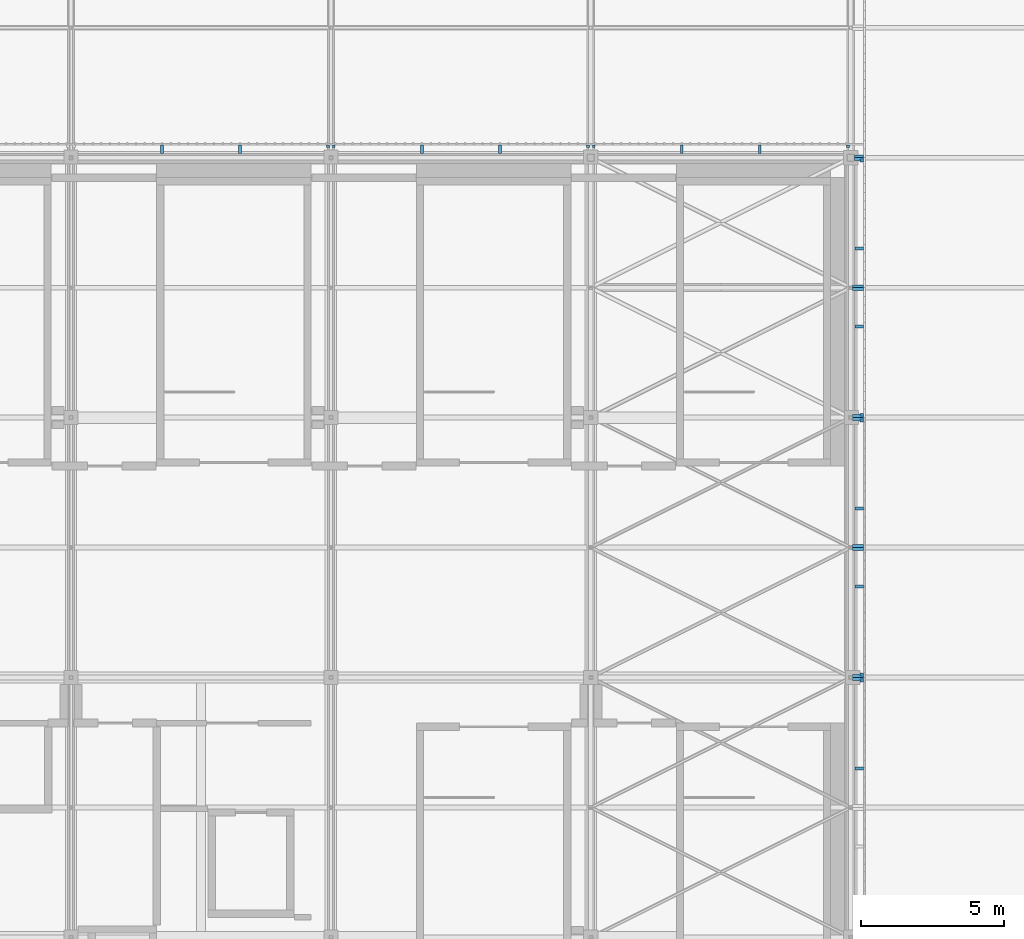
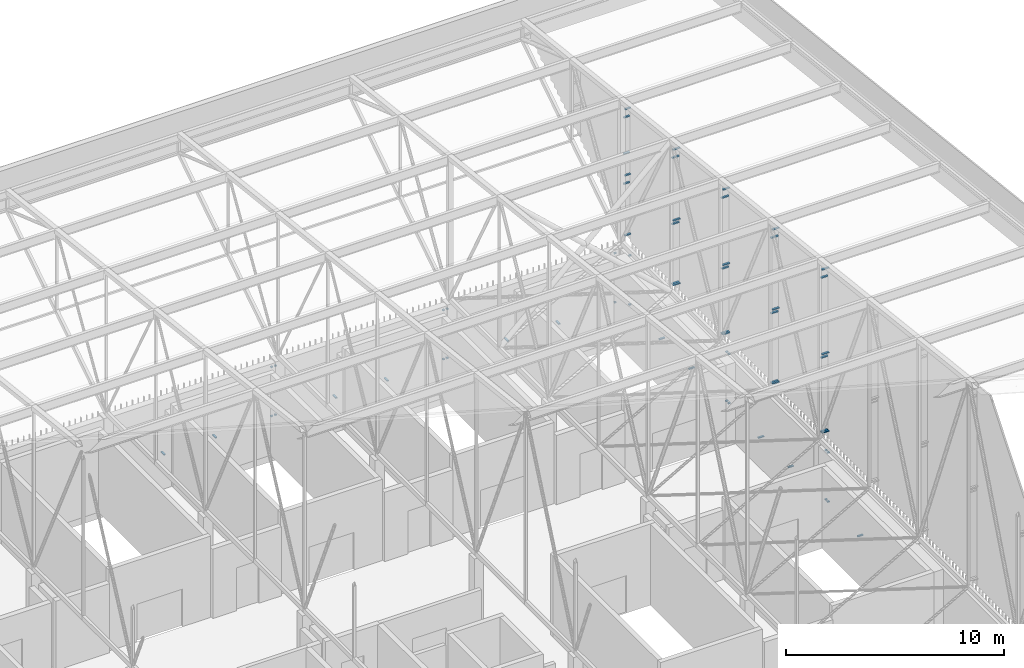
# One storey, part 453 of 500: 61 discrete accessories.
"""IFC4 building model written with IfcOpenShell, lengths in metres."""

from ifc_helpers import new_model, si_unit, direction, frame, origin, origin_2d, place, context, subcontext, project, spatial, rectangle, extrude, material, type_object, element, save


model = new_model("IFC4")

# Units and contexts
model_context = context("Model", 3, precision=1e-05, world=origin(), true_north=direction((0.0, 1.0)))
body_context = subcontext(model_context, "Body", "Model", "MODEL_VIEW")
ifc_project = project(units=[si_unit("LENGTHUNIT", "METRE"), si_unit("AREAUNIT", "SQUARE_METRE"), si_unit("VOLUMEUNIT", "CUBIC_METRE"), si_unit("PLANEANGLEUNIT", "RADIAN"), si_unit("MASSUNIT", "GRAM", prefix="KILO")], contexts=[model_context])

# Site, building, storey
site_placement = place(None, origin())
site = spatial("IfcSite", under=ifc_project, at=site_placement, CompositionType="ELEMENT")
building_placement = place(site_placement, origin())
building = spatial("IfcBuilding", under=site, at=building_placement, Name="Shirokan Park Arena", CompositionType="ELEMENT")
storey_placement = place(building_placement, frame((0.0, 0.0, 29.1201171875)))
storey = spatial("IfcBuildingStorey", under=building, at=storey_placement, Name="L06", CompositionType="ELEMENT", Elevation=29.1201171875)

# Discrete accessories
ifc_material = material(Name="Steel S355", Category="steel")
discrete_accessory_type = type_object("IfcDiscreteAccessoryType", Name="Veil bracket 100x60", PredefinedType="BRACKET", material=ifc_material)
for number, where, z_axis, x_axis, name in (
    (1, (145.985107421875, 90.89990234375, 1.06982421875), (0.0, 0.0, 1.0), (0.0, 1.0, 0.0), "Veil bracket east bay 10 L06 2"),
    (2, (145.985107421875, 90.89990234375, 3.81982421875), (0.0, 0.0, 1.0), (0.0, 1.0, 0.0), "Veil bracket east bay 10 L06 4"),
):
    element("IfcDiscreteAccessory", number, at=place(storey_placement, frame(where, z_axis=z_axis, x_axis=x_axis)), inside=storey, type_object=discrete_accessory_type, Name=name, PredefinedType="BRACKET", context=body_context, shape_type="SweptSolid", body=[
        extrude(rectangle(XDim=0.10009765625, YDim=0.1201171875, at=origin_2d()), origin(), (0.0, 0.0, 1.0), 0.06005859375),
    ])
discrete_accessory_placement = place(storey_placement, frame((145.8974609375, 87.81494140625, 1.06982421875), z_axis=(0.0, 0.0, 1.0), x_axis=(0.0, 1.0, 0.0)))
element("IfcDiscreteAccessory", 3, at=discrete_accessory_placement, inside=storey, type_object=discrete_accessory_type, Name="Veil bracket east bay 10 L06 wall 2", PredefinedType="BRACKET", context=body_context, shape_type="SweptSolid", body=[
    extrude(rectangle(XDim=0.10009765625, YDim=0.294921875, at=origin_2d()), origin(), (0.0, 0.0, 1.0), 0.06005859375),
])
for number, where, z_axis, x_axis, name in (
    (4, (145.985107421875, 91.10009765625, 1.06982421875), (0.0, 0.0, 1.0), (0.0, 1.0, 0.0), "Veil bracket east bay 11 L06 1"),
    (5, (145.985107421875, 100.0, 1.06982421875), (0.0, 0.0, 1.0), (0.0, 1.0, 0.0), "Veil bracket east bay 11 L06 2"),
    (6, (145.985107421875, 91.10009765625, 3.81982421875), (0.0, 0.0, 1.0), (0.0, 1.0, 0.0), "Veil bracket east bay 11 L06 3"),
    (7, (145.985107421875, 100.0, 3.81982421875), (0.0, 0.0, 1.0), (0.0, 1.0, 0.0), "Veil bracket east bay 11 L06 4"),
):
    element("IfcDiscreteAccessory", number, at=place(storey_placement, frame(where, z_axis=z_axis, x_axis=x_axis)), inside=storey, type_object=discrete_accessory_type, Name=name, PredefinedType="BRACKET", context=body_context, shape_type="SweptSolid", body=[
        extrude(rectangle(XDim=0.10009765625, YDim=0.1201171875, at=origin_2d()), origin(), (0.0, 0.0, 1.0), 0.06005859375),
    ])
for number, where, z_axis, x_axis, name in (
    (8, (145.8974609375, 94.18505859375, 1.06982421875), (0.0, 0.0, 1.0), (0.0, 1.0, 0.0), "Veil bracket east bay 11 L06 wall 1"),
    (9, (145.8974609375, 96.9150390625, 1.06982421875), (0.0, 0.0, 1.0), (0.0, 1.0, 0.0), "Veil bracket east bay 11 L06 wall 2"),
):
    element("IfcDiscreteAccessory", number, at=place(storey_placement, frame(where, z_axis=z_axis, x_axis=x_axis)), inside=storey, type_object=discrete_accessory_type, Name=name, PredefinedType="BRACKET", context=body_context, shape_type="SweptSolid", body=[
        extrude(rectangle(XDim=0.10009765625, YDim=0.294921875, at=origin_2d()), origin(), (0.0, 0.0, 1.0), 0.06005859375),
    ])
for number, where, z_axis, x_axis, name in (
    (10, (145.985107421875, 100.199951171875, 1.06982421875), (0.0, 0.0, 1.0), (0.0, 1.0, 0.0), "Veil bracket east bay 12 L06 1"),
    (11, (145.985107421875, 109.10009765625, 1.06982421875), (0.0, 0.0, 1.0), (0.0, 1.0, 0.0), "Veil bracket east bay 12 L06 2"),
    (12, (145.985107421875, 100.199951171875, 3.81982421875), (0.0, 0.0, 1.0), (0.0, 1.0, 0.0), "Veil bracket east bay 12 L06 3"),
    (13, (145.985107421875, 109.10009765625, 3.81982421875), (0.0, 0.0, 1.0), (0.0, 1.0, 0.0), "Veil bracket east bay 12 L06 4"),
):
    element("IfcDiscreteAccessory", number, at=place(storey_placement, frame(where, z_axis=z_axis, x_axis=x_axis)), inside=storey, type_object=discrete_accessory_type, Name=name, PredefinedType="BRACKET", context=body_context, shape_type="SweptSolid", body=[
        extrude(rectangle(XDim=0.10009765625, YDim=0.1201171875, at=origin_2d()), origin(), (0.0, 0.0, 1.0), 0.06005859375),
    ])
for number, where, z_axis, x_axis, name in (
    (14, (145.8974609375, 103.284912109375, 1.06982421875), (0.0, 0.0, 1.0), (0.0, 1.0, 0.0), "Veil bracket east bay 12 L06 wall 1"),
    (15, (145.8974609375, 106.014892578125, 1.06982421875), (0.0, 0.0, 1.0), (0.0, 1.0, 0.0), "Veil bracket east bay 12 L06 wall 2"),
):
    element("IfcDiscreteAccessory", number, at=place(storey_placement, frame(where, z_axis=z_axis, x_axis=x_axis)), inside=storey, type_object=discrete_accessory_type, Name=name, PredefinedType="BRACKET", context=body_context, shape_type="SweptSolid", body=[
        extrude(rectangle(XDim=0.10009765625, YDim=0.294921875, at=origin_2d()), origin(), (0.0, 0.0, 1.0), 0.06005859375),
    ])
for number, where, z_axis, x_axis, name in (
    (16, (145.5, 109.597412109375, 1.06982421875), (0.0, 0.0, 1.0), (-1.0, 0.0, 0.0), "Veil bracket north bay 1 L06 1"),
    (17, (136.60009765625, 109.597412109375, 1.06982421875), (0.0, 0.0, 1.0), (-1.0, 0.0, 0.0), "Veil bracket north bay 1 L06 2"),
    (18, (145.5, 109.597412109375, 3.81982421875), (0.0, 0.0, 1.0), (-1.0, 0.0, 0.0), "Veil bracket north bay 1 L06 3"),
    (19, (136.60009765625, 109.597412109375, 3.81982421875), (0.0, 0.0, 1.0), (-1.0, 0.0, 0.0), "Veil bracket north bay 1 L06 4"),
):
    element("IfcDiscreteAccessory", number, at=place(storey_placement, frame(where, z_axis=z_axis, x_axis=x_axis)), inside=storey, type_object=discrete_accessory_type, Name=name, PredefinedType="BRACKET", context=body_context, shape_type="SweptSolid", body=[
        extrude(rectangle(XDim=0.10009765625, YDim=0.094970703125, at=origin_2d()), origin(), (0.0, 0.0, 1.0), 0.06005859375),
    ])
for number, where, z_axis, x_axis, name in (
    (20, (142.4150390625, 109.49755859375, 1.06982421875), (0.0, 0.0, 1.0), (-1.0, 0.0, 0.0), "Veil bracket north bay 1 L06 wall 1"),
    (21, (139.68505859375, 109.49755859375, 1.06982421875), (0.0, 0.0, 1.0), (-1.0, 0.0, 0.0), "Veil bracket north bay 1 L06 wall 2"),
):
    element("IfcDiscreteAccessory", number, at=place(storey_placement, frame(where, z_axis=z_axis, x_axis=x_axis)), inside=storey, type_object=discrete_accessory_type, Name=name, PredefinedType="BRACKET", context=body_context, shape_type="SweptSolid", body=[
        extrude(rectangle(XDim=0.10009765625, YDim=0.294921875, at=origin_2d()), origin(), (0.0, 0.0, 1.0), 0.06005859375),
    ])
for number, where, z_axis, x_axis, name in (
    (22, (136.39990234375, 109.597412109375, 1.06982421875), (0.0, 0.0, 1.0), (-1.0, 0.0, 0.0), "Veil bracket north bay 2 L06 1"),
    (23, (127.5, 109.597412109375, 1.06982421875), (0.0, 0.0, 1.0), (-1.0, 0.0, 0.0), "Veil bracket north bay 2 L06 2"),
    (24, (136.39990234375, 109.597412109375, 3.81982421875), (0.0, 0.0, 1.0), (-1.0, 0.0, 0.0), "Veil bracket north bay 2 L06 3"),
    (25, (127.5, 109.597412109375, 3.81982421875), (0.0, 0.0, 1.0), (-1.0, 0.0, 0.0), "Veil bracket north bay 2 L06 4"),
):
    element("IfcDiscreteAccessory", number, at=place(storey_placement, frame(where, z_axis=z_axis, x_axis=x_axis)), inside=storey, type_object=discrete_accessory_type, Name=name, PredefinedType="BRACKET", context=body_context, shape_type="SweptSolid", body=[
        extrude(rectangle(XDim=0.10009765625, YDim=0.094970703125, at=origin_2d()), origin(), (0.0, 0.0, 1.0), 0.06005859375),
    ])
for number, where, z_axis, x_axis, name in (
    (26, (133.31494140625, 109.49755859375, 1.06982421875), (0.0, 0.0, 1.0), (-1.0, 0.0, 0.0), "Veil bracket north bay 2 L06 wall 1"),
    (27, (130.5849609375, 109.49755859375, 1.06982421875), (0.0, 0.0, 1.0), (-1.0, 0.0, 0.0), "Veil bracket north bay 2 L06 wall 2"),
):
    element("IfcDiscreteAccessory", number, at=place(storey_placement, frame(where, z_axis=z_axis, x_axis=x_axis)), inside=storey, type_object=discrete_accessory_type, Name=name, PredefinedType="BRACKET", context=body_context, shape_type="SweptSolid", body=[
        extrude(rectangle(XDim=0.10009765625, YDim=0.294921875, at=origin_2d()), origin(), (0.0, 0.0, 1.0), 0.06005859375),
    ])
for number, where, z_axis, x_axis, name in (
    (28, (127.300048828125, 109.597412109375, 1.06982421875), (0.0, 0.0, 1.0), (-1.0, 0.0, 0.0), "Veil bracket north bay 3 L06 1"),
    (29, (127.300048828125, 109.597412109375, 3.81982421875), (0.0, 0.0, 1.0), (-1.0, 0.0, 0.0), "Veil bracket north bay 3 L06 3"),
):
    element("IfcDiscreteAccessory", number, at=place(storey_placement, frame(where, z_axis=z_axis, x_axis=x_axis)), inside=storey, type_object=discrete_accessory_type, Name=name, PredefinedType="BRACKET", context=body_context, shape_type="SweptSolid", body=[
        extrude(rectangle(XDim=0.10009765625, YDim=0.094970703125, at=origin_2d()), origin(), (0.0, 0.0, 1.0), 0.06005859375),
    ])
for number, where, z_axis, x_axis, name in (
    (30, (124.215087890625, 109.49755859375, 1.06982421875), (0.0, 0.0, 1.0), (-1.0, 0.0, 0.0), "Veil bracket north bay 3 L06 wall 1"),
    (31, (121.485107421875, 109.49755859375, 1.06982421875), (0.0, 0.0, 1.0), (-1.0, 0.0, 0.0), "Veil bracket north bay 3 L06 wall 2"),
):
    element("IfcDiscreteAccessory", number, at=place(storey_placement, frame(where, z_axis=z_axis, x_axis=x_axis)), inside=storey, type_object=discrete_accessory_type, Name=name, PredefinedType="BRACKET", context=body_context, shape_type="SweptSolid", body=[
        extrude(rectangle(XDim=0.10009765625, YDim=0.294921875, at=origin_2d()), origin(), (0.0, 0.0, 1.0), 0.06005859375),
    ])
for number, where, z_axis, x_axis, name in (
    (32, (145.854248046875, 90.949951171875, 4.995849609375), (0.0, 0.0, 1.0), (1.0, 0.0, 0.0), "Veil bracket gable band east bay 22 4"),
    (33, (145.854248046875, 90.949951171875, 9.393798828125), (0.0, 0.0, 1.0), (1.0, 0.0, 0.0), "Veil bracket gable band east bay 22 5"),
    (34, (145.854248046875, 90.949951171875, 14.141845703125), (0.0, 0.0, 1.0), (1.0, 0.0, 0.0), "Veil bracket gable band east bay 22 6"),
    (35, (145.854248046875, 91.050048828125, 4.995849609375), (0.0, 0.0, 1.0), (1.0, 0.0, 0.0), "Veil bracket gable band east bay 23 1"),
    (36, (145.854248046875, 91.050048828125, 9.1337890625), (0.0, 0.0, 1.0), (1.0, 0.0, 0.0), "Veil bracket gable band east bay 23 2"),
    (37, (145.854248046875, 91.050048828125, 13.621826171875), (0.0, 0.0, 1.0), (1.0, 0.0, 0.0), "Veil bracket gable band east bay 23 3"),
):
    element("IfcDiscreteAccessory", number, at=place(storey_placement, frame(where, z_axis=z_axis, x_axis=x_axis)), inside=storey, type_object=discrete_accessory_type, Name=name, PredefinedType="BRACKET", context=body_context, shape_type="SweptSolid", body=[
        extrude(rectangle(XDim=0.381591796875, YDim=0.10009765625, at=origin_2d()), origin(), (0.0, 0.0, 1.0), 0.06005859375),
    ])
for number, where, z_axis, x_axis, name in (
    (38, (145.85107421875, 95.5, 4.995849609375), (0.0, 0.0, 1.0), (1.0, 0.0, 0.0), "Veil bracket gable band east bay 23 4"),
    (39, (145.85107421875, 95.5, 9.1337890625), (0.0, 0.0, 1.0), (1.0, 0.0, 0.0), "Veil bracket gable band east bay 23 5"),
    (40, (145.85107421875, 95.5, 13.621826171875), (0.0, 0.0, 1.0), (1.0, 0.0, 0.0), "Veil bracket gable band east bay 23 6"),
    (41, (145.85107421875, 95.60009765625, 4.995849609375), (0.0, 0.0, 1.0), (1.0, 0.0, 0.0), "Veil bracket gable band east bay 24 1"),
    (42, (145.85107421875, 95.60009765625, 8.873779296875), (0.0, 0.0, 1.0), (1.0, 0.0, 0.0), "Veil bracket gable band east bay 24 2"),
    (43, (145.85107421875, 95.60009765625, 13.101806640625), (0.0, 0.0, 1.0), (1.0, 0.0, 0.0), "Veil bracket gable band east bay 24 3"),
):
    element("IfcDiscreteAccessory", number, at=place(storey_placement, frame(where, z_axis=z_axis, x_axis=x_axis)), inside=storey, type_object=discrete_accessory_type, Name=name, PredefinedType="BRACKET", context=body_context, shape_type="SweptSolid", body=[
        extrude(rectangle(XDim=0.387939453125, YDim=0.10009765625, at=origin_2d()), origin(), (0.0, 0.0, 1.0), 0.06005859375),
    ])
for number, where, z_axis, x_axis, name in (
    (44, (145.854248046875, 100.050048828125, 4.995849609375), (0.0, 0.0, 1.0), (1.0, 0.0, 0.0), "Veil bracket gable band east bay 24 4"),
    (45, (145.854248046875, 100.050048828125, 8.873779296875), (0.0, 0.0, 1.0), (1.0, 0.0, 0.0), "Veil bracket gable band east bay 24 5"),
    (46, (145.854248046875, 100.050048828125, 13.101806640625), (0.0, 0.0, 1.0), (1.0, 0.0, 0.0), "Veil bracket gable band east bay 24 6"),
    (47, (145.854248046875, 100.14990234375, 4.995849609375), (0.0, 0.0, 1.0), (1.0, 0.0, 0.0), "Veil bracket gable band east bay 25 1"),
    (48, (145.854248046875, 100.14990234375, 8.61376953125), (0.0, 0.0, 1.0), (1.0, 0.0, 0.0), "Veil bracket gable band east bay 25 2"),
    (49, (145.854248046875, 100.14990234375, 12.581787109375), (0.0, 0.0, 1.0), (1.0, 0.0, 0.0), "Veil bracket gable band east bay 25 3"),
):
    element("IfcDiscreteAccessory", number, at=place(storey_placement, frame(where, z_axis=z_axis, x_axis=x_axis)), inside=storey, type_object=discrete_accessory_type, Name=name, PredefinedType="BRACKET", context=body_context, shape_type="SweptSolid", body=[
        extrude(rectangle(XDim=0.381591796875, YDim=0.10009765625, at=origin_2d()), origin(), (0.0, 0.0, 1.0), 0.06005859375),
    ])
for number, where, z_axis, x_axis, name in (
    (50, (145.85107421875, 104.60009765625, 4.995849609375), (0.0, 0.0, 1.0), (1.0, 0.0, 0.0), "Veil bracket gable band east bay 25 4"),
    (51, (145.85107421875, 104.60009765625, 8.61376953125), (0.0, 0.0, 1.0), (1.0, 0.0, 0.0), "Veil bracket gable band east bay 25 5"),
    (52, (145.85107421875, 104.60009765625, 12.581787109375), (0.0, 0.0, 1.0), (1.0, 0.0, 0.0), "Veil bracket gable band east bay 25 6"),
    (53, (145.85107421875, 104.699951171875, 4.995849609375), (0.0, 0.0, 1.0), (1.0, 0.0, 0.0), "Veil bracket gable band east bay 26 1"),
    (54, (145.85107421875, 104.699951171875, 8.353759765625), (0.0, 0.0, 1.0), (1.0, 0.0, 0.0), "Veil bracket gable band east bay 26 2"),
    (55, (145.85107421875, 104.699951171875, 12.061767578125), (0.0, 0.0, 1.0), (1.0, 0.0, 0.0), "Veil bracket gable band east bay 26 3"),
):
    element("IfcDiscreteAccessory", number, at=place(storey_placement, frame(where, z_axis=z_axis, x_axis=x_axis)), inside=storey, type_object=discrete_accessory_type, Name=name, PredefinedType="BRACKET", context=body_context, shape_type="SweptSolid", body=[
        extrude(rectangle(XDim=0.387939453125, YDim=0.10009765625, at=origin_2d()), origin(), (0.0, 0.0, 1.0), 0.06005859375),
    ])
for number, where, z_axis, x_axis, name in (
    (56, (145.885986328125, 109.14990234375, 4.995849609375), (0.0, 0.0, 1.0), (1.0, 0.0, 0.0), "Veil bracket gable band east bay 26 4"),
    (57, (145.885986328125, 109.14990234375, 8.353759765625), (0.0, 0.0, 1.0), (1.0, 0.0, 0.0), "Veil bracket gable band east bay 26 5"),
    (58, (145.885986328125, 109.14990234375, 12.061767578125), (0.0, 0.0, 1.0), (1.0, 0.0, 0.0), "Veil bracket gable band east bay 26 6"),
    (59, (145.885986328125, 109.25, 7.82568359375), (0.0, 0.0, 1.0), (1.0, 0.0, 0.0), "Veil bracket gable band east bay 27 1"),
    (60, (145.885986328125, 109.25, 9.5087890625), (0.0, 0.0, 1.0), (1.0, 0.0, 0.0), "Veil bracket gable band east bay 27 2"),
    (61, (145.885986328125, 109.25, 11.541748046875), (0.0, 0.0, 1.0), (1.0, 0.0, 0.0), "Veil bracket gable band east bay 27 3"),
):
    element("IfcDiscreteAccessory", number, at=place(storey_placement, frame(where, z_axis=z_axis, x_axis=x_axis)), inside=storey, type_object=discrete_accessory_type, Name=name, PredefinedType="BRACKET", context=body_context, shape_type="SweptSolid", body=[
        extrude(rectangle(XDim=0.318115234375, YDim=0.10009765625, at=origin_2d()), origin(), (0.0, 0.0, 1.0), 0.06005859375),
    ])

save(model, "model.ifc")
